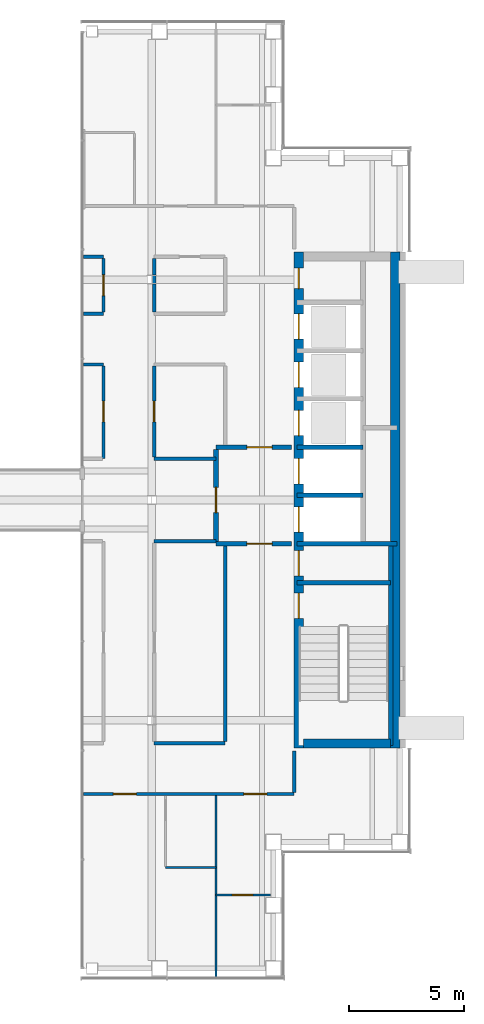
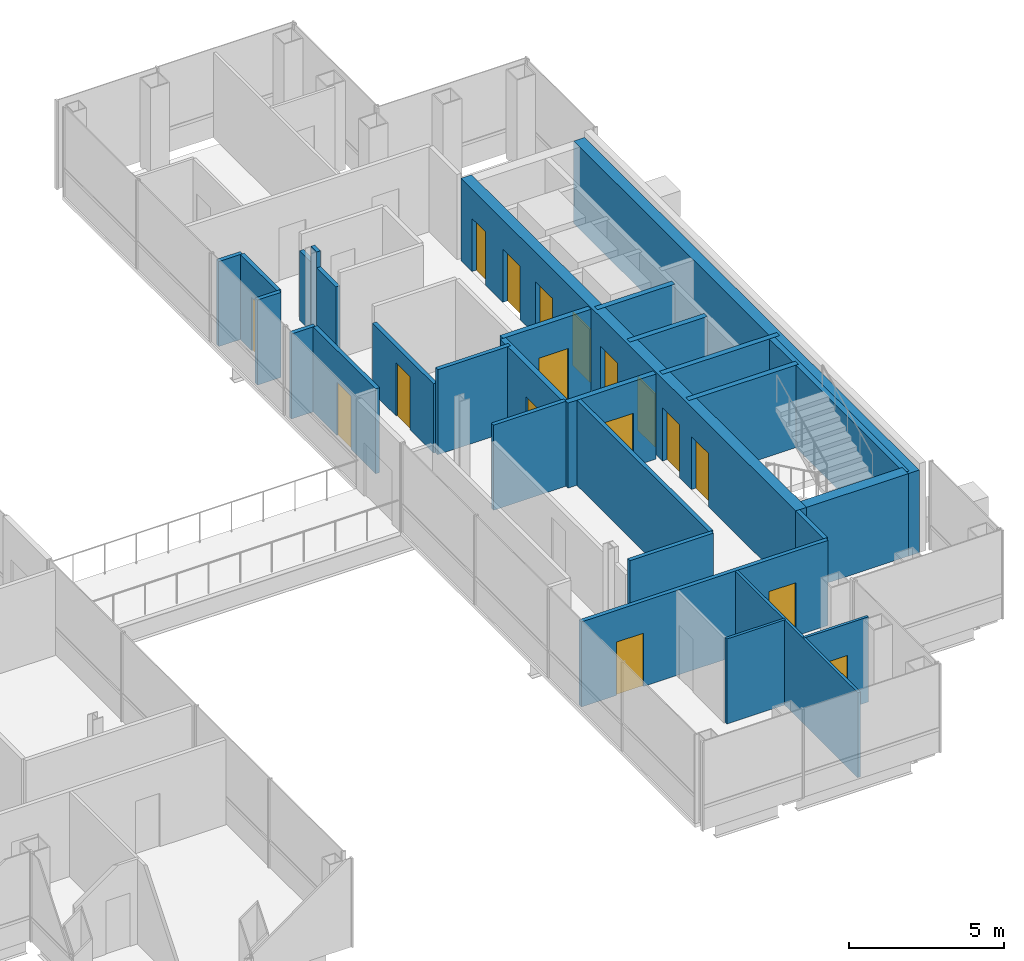
# One storey, part 13 of 16: 29 walls, 17 doors, 17 openings.
"""IFC4 building model written with IfcOpenShell, lengths in metres."""

from ifc_helpers import new_model, si_unit, direction, frame, frame_2d, origin, place, context, subcontext, project, spatial, rectangle, extrude, material, layer, layer_set, type_object, element, fill, save


model = new_model("IFC4")

# Units and contexts
model_context = context("Model", 3, precision=1e-05, world=origin(), true_north=direction((0.0, 1.0)))
body_context = subcontext(model_context, "Body", "Model", "MODEL_VIEW")
ifc_project = project(units=[si_unit("LENGTHUNIT", "METRE"), si_unit("AREAUNIT", "SQUARE_METRE"), si_unit("VOLUMEUNIT", "CUBIC_METRE"), si_unit("PLANEANGLEUNIT", "RADIAN"), si_unit("MASSUNIT", "GRAM", prefix="KILO")], contexts=[model_context])

# Site, building, storey
site_placement = place(None, origin())
site = spatial("IfcSite", under=ifc_project, at=site_placement, CompositionType="ELEMENT")
building_placement = place(site_placement, origin())
building = spatial("IfcBuilding", under=site, at=building_placement, Name="Cobrizo Arcos Hotel Tower", CompositionType="ELEMENT")
storey_placement = place(building_placement, frame((0.0, 0.0, 229.5)))
storey = spatial("IfcBuildingStorey", under=building, at=storey_placement, Name="L60", CompositionType="ELEMENT", Elevation=229.5)

# Wall, openings, doors
ifc_material_1 = material(Name="Gypsum board partition")
ifc_layer_1 = layer(ifc_material_1, 0.14990234375)
ifc_layer_set_1 = layer_set([ifc_layer_1], Name="Corridor wall EI 60 150")
wall_type_1 = type_object("IfcWallType", Name="Corridor wall EI 60 150", PredefinedType="PARTITIONING", material=ifc_layer_set_1)
wall_1_placement = place(storey_placement, frame((6.6201171875, -12.800048828125, 0.0), z_axis=(0.0, 0.0, 1.0), x_axis=(1.0, 0.0, 0.0)))
wall_1 = element("IfcWall", 1, at=wall_1_placement, inside=storey, type_object=wall_type_1, Name="Partition 005", PredefinedType="PARTITIONING", context=body_context, shape_type="SweptSolid", body=[
    extrude(rectangle(XDim=9.179931640625, YDim=0.14990234375, at=frame_2d((4.58984375, 0.0))), origin(), (0.0, 0.0, 1.0), 3.35009765625),
])
opening_1_placement = place(wall_1_placement, frame((1.31396484375, 0.0, 0.0)))
opening_1 = element("IfcOpeningElement", 2, at=opening_1_placement, cuts=wall_1, Name="Opening GD-03", PredefinedType="OPENING", context=body_context, shape_type="SweptSolid", body=[
    extrude(rectangle(XDim=1.0, YDim=2.10009765625, at=frame_2d((0.5, 1.050048828125))), frame((0.0, 0.0869140625, 0.0), z_axis=(0.0, -1.0, 0.0), x_axis=(1.0, 0.0, 0.0)), (0.0, 0.0, 1.0), 0.173828125),
])
opening_2_placement = place(wall_1_placement, frame((6.988037109375, 0.0, 0.0)))
opening_2 = element("IfcOpeningElement", 3, at=opening_2_placement, cuts=wall_1, Name="Opening GD-06", PredefinedType="OPENING", context=body_context, shape_type="SweptSolid", body=[
    extrude(rectangle(XDim=1.0, YDim=2.10009765625, at=frame_2d((0.5, 1.050048828125))), frame((0.0, 0.0869140625, 0.0), z_axis=(0.0, -1.0, 0.0), x_axis=(1.0, 0.0, 0.0)), (0.0, 0.0, 1.0), 0.173828125),
])
ifc_material_2 = material(Name="Timber door leaf", Category="wood")
door_type_1 = type_object("IfcDoorType", Name="Guest room door FD30S 1000x2100", OperationType="SINGLE_SWING_LEFT", PredefinedType="DOOR", material=ifc_material_2)
door_1_placement = place(opening_1_placement, origin())
door_1 = element("IfcDoor", 4, at=door_1_placement, inside=storey, type_object=door_type_1, Name="Door GD-03", OperationType="SINGLE_SWING_RIGHT", OverallHeight=2.10009765625, OverallWidth=1.0, PredefinedType="DOOR", context=body_context, shape_type="SweptSolid", body=[
    extrude(rectangle(XDim=1.0, YDim=2.10009765625, at=frame_2d((0.5, 1.050048828125))), frame((0.0, 0.02490234375, 0.0), z_axis=(0.0, -1.0, 0.0), x_axis=(1.0, 0.0, 0.0)), (0.0, 0.0, 1.0), 0.050048828125),
])
fill(opening_1, door_1)
door_2_placement = place(opening_2_placement, origin())
door_2 = element("IfcDoor", 5, at=door_2_placement, inside=storey, type_object=door_type_1, Name="Door GD-06", OperationType="SINGLE_SWING_RIGHT", OverallHeight=2.10009765625, OverallWidth=1.0, PredefinedType="DOOR", context=body_context, shape_type="SweptSolid", body=[
    extrude(rectangle(XDim=1.0, YDim=2.10009765625, at=frame_2d((0.5, 1.050048828125))), frame((0.0, 0.02490234375, 0.0), z_axis=(0.0, -1.0, 0.0), x_axis=(1.0, 0.0, 0.0)), (0.0, 0.0, 1.0), 0.050048828125),
])
fill(opening_2, door_2)

# Walls
wall_2_placement = place(storey_placement, frame((9.699951171875, -10.60009765625, 0.0), z_axis=(0.0, 0.0, 1.0), x_axis=(1.0, 0.0, 0.0)))
element("IfcWall", 6, at=wall_2_placement, inside=storey, type_object=wall_type_1, Name="Partition 008", PredefinedType="PARTITIONING", context=body_context, shape_type="SweptSolid", body=[
    extrude(rectangle(XDim=3.10009765625, YDim=0.14990234375, at=frame_2d((1.550048828125, 0.0))), origin(), (0.0, 0.0, 1.0), 3.35009765625),
])
for number, where, z_axis, x_axis, name in (
    (7, (9.699951171875, -1.800048828125, 0.0), (0.0, 0.0, 1.0), (1.0, 0.0, 0.0), "Partition 017"),
    (8, (9.699951171875, 1.800048828125, 0.0), (0.0, 0.0, 1.0), (1.0, 0.0, 0.0), "Partition 022"),
):
    element("IfcWall", number, at=place(storey_placement, frame(where, z_axis=z_axis, x_axis=x_axis)), inside=storey, type_object=wall_type_1, Name=name, PredefinedType="PARTITIONING", context=body_context, shape_type="SweptSolid", body=[
        extrude(rectangle(XDim=2.699951171875, YDim=0.14990234375, at=frame_2d((1.35009765625, 0.0))), origin(), (0.0, 0.0, 1.0), 3.35009765625),
    ])
for number, where, z_axis, x_axis, name in (
    (9, (6.6201171875, 5.89990234375, 0.0), (0.0, 0.0, 1.0), (1.0, 0.0, 0.0), "Partition 032"),
    (10, (6.6201171875, 8.10009765625, 0.0), (0.0, 0.0, 1.0), (1.0, 0.0, 0.0), "Partition 037"),
    (11, (6.6201171875, 10.60009765625, 0.0), (0.0, 0.0, 1.0), (1.0, 0.0, 0.0), "Partition 042"),
):
    element("IfcWall", number, at=place(storey_placement, frame(where, z_axis=z_axis, x_axis=x_axis)), inside=storey, type_object=wall_type_1, Name=name, PredefinedType="PARTITIONING", context=body_context, shape_type="SweptSolid", body=[
        extrude(rectangle(XDim=0.8798828125, YDim=0.14990234375, at=frame_2d((0.43994140625, 0.0))), origin(), (0.0, 0.0, 1.0), 3.35009765625),
    ])

# Wall, opening, door
wall_3_placement = place(storey_placement, frame((7.5, 1.800048828125, 0.0), z_axis=(0.0, 0.0, 1.0), x_axis=(0.0, 1.0, 0.0)))
wall_3 = element("IfcWall", 12, at=wall_3_placement, inside=storey, type_object=wall_type_1, Name="Partition 067", PredefinedType="PARTITIONING", context=body_context, shape_type="SweptSolid", body=[
    extrude(rectangle(XDim=4.02490234375, YDim=0.14990234375, at=frame_2d((2.012451171875, 0.0))), origin(), (0.0, 0.0, 1.0), 3.35009765625),
])
opening_3_placement = place(wall_3_placement, frame((1.60009765625, 0.0, 0.0)))
opening_3 = element("IfcOpeningElement", 13, at=opening_3_placement, cuts=wall_3, Name="Opening RD-05", PredefinedType="OPENING", context=body_context, shape_type="SweptSolid", body=[
    extrude(rectangle(XDim=0.89990234375, YDim=2.10009765625, at=frame_2d((0.449951171875, 1.050048828125))), frame((0.0, 0.0869140625, 0.0), z_axis=(0.0, -1.0, 0.0), x_axis=(1.0, 0.0, 0.0)), (0.0, 0.0, 1.0), 0.173828125),
])
door_type_2 = type_object("IfcDoorType", Name="Room door FD30 900x2100", OperationType="SINGLE_SWING_LEFT", PredefinedType="DOOR", material=ifc_material_2)
door_3_placement = place(opening_3_placement, origin())
door_3 = element("IfcDoor", 14, at=door_3_placement, inside=storey, type_object=door_type_2, Name="Door RD-05", OperationType="SINGLE_SWING_LEFT", OverallHeight=2.10009765625, OverallWidth=0.89990234375, PredefinedType="DOOR", context=body_context, shape_type="SweptSolid", body=[
    extrude(rectangle(XDim=0.89990234375, YDim=2.10009765625, at=frame_2d((0.449951171875, 1.050048828125))), frame((0.0, 0.02490234375, 0.0), z_axis=(0.0, -1.0, 0.0), x_axis=(1.0, 0.0, 0.0)), (0.0, 0.0, 1.0), 0.050048828125),
])
fill(opening_3, door_3)

wall_4_placement = place(storey_placement, frame((7.5, 8.175048828125, 0.0), z_axis=(0.0, 0.0, 1.0), x_axis=(0.0, 1.0, 0.0)))
wall_4 = element("IfcWall", 15, at=wall_4_placement, inside=storey, type_object=wall_type_1, Name="Partition 068", PredefinedType="PARTITIONING", context=body_context, shape_type="SweptSolid", body=[
    extrude(rectangle(XDim=2.349853515625, YDim=0.14990234375, at=frame_2d((1.1748046875, 0.0))), origin(), (0.0, 0.0, 1.0), 3.35009765625),
])
opening_4_placement = place(wall_4_placement, frame((0.72509765625, 0.0, 0.0)))
opening_4 = element("IfcOpeningElement", 16, at=opening_4_placement, cuts=wall_4, Name="Opening RD-04", PredefinedType="OPENING", context=body_context, shape_type="SweptSolid", body=[
    extrude(rectangle(XDim=0.89990234375, YDim=2.10009765625, at=frame_2d((0.449951171875, 1.050048828125))), frame((0.0, 0.0869140625, 0.0), z_axis=(0.0, -1.0, 0.0), x_axis=(1.0, 0.0, 0.0)), (0.0, 0.0, 1.0), 0.173828125),
])
door_4_placement = place(opening_4_placement, origin())
door_4 = element("IfcDoor", 17, at=door_4_placement, inside=storey, type_object=door_type_2, Name="Door RD-04", OperationType="SINGLE_SWING_LEFT", OverallHeight=2.10009765625, OverallWidth=0.89990234375, PredefinedType="DOOR", context=body_context, shape_type="SweptSolid", body=[
    extrude(rectangle(XDim=0.89990234375, YDim=2.10009765625, at=frame_2d((0.449951171875, 1.050048828125))), frame((0.0, 0.02490234375, 0.0), z_axis=(0.0, -1.0, 0.0), x_axis=(1.0, 0.0, 0.0)), (0.0, 0.0, 1.0), 0.050048828125),
])
fill(opening_4, door_4)

wall_5_placement = place(storey_placement, frame((9.699951171875, 1.875, 0.0), z_axis=(0.0, 0.0, 1.0), x_axis=(0.0, 1.0, 0.0)))
wall_5 = element("IfcWall", 18, at=wall_5_placement, inside=storey, type_object=wall_type_1, Name="Partition 073", PredefinedType="PARTITIONING", context=body_context, shape_type="SweptSolid", body=[
    extrude(rectangle(XDim=3.949951171875, YDim=0.14990234375, at=frame_2d((1.97509765625, 0.0))), origin(), (0.0, 0.0, 1.0), 2.72802734375),
])
opening_5_placement = place(wall_5_placement, frame((1.52490234375, 0.0, 0.0)))
opening_5 = element("IfcOpeningElement", 19, at=opening_5_placement, cuts=wall_5, Name="Opening RD-08", PredefinedType="OPENING", context=body_context, shape_type="SweptSolid", body=[
    extrude(rectangle(XDim=0.89990234375, YDim=2.10009765625, at=frame_2d((0.449951171875, 1.050048828125))), frame((0.0, 0.0869140625, 0.0), z_axis=(0.0, -1.0, 0.0), x_axis=(1.0, 0.0, 0.0)), (0.0, 0.0, 1.0), 0.173828125),
])
door_5_placement = place(opening_5_placement, origin())
door_5 = element("IfcDoor", 20, at=door_5_placement, inside=storey, type_object=door_type_2, Name="Door RD-08", OperationType="SINGLE_SWING_LEFT", OverallHeight=2.10009765625, OverallWidth=0.89990234375, PredefinedType="DOOR", context=body_context, shape_type="SweptSolid", body=[
    extrude(rectangle(XDim=0.89990234375, YDim=2.10009765625, at=frame_2d((0.449951171875, 1.050048828125))), frame((0.0, 0.02490234375, 0.0), z_axis=(0.0, -1.0, 0.0), x_axis=(1.0, 0.0, 0.0)), (0.0, 0.0, 1.0), 0.050048828125),
])
fill(opening_5, door_5)

# Walls
wall_6_placement = place(storey_placement, frame((9.699951171875, 8.175048828125, 0.0), z_axis=(0.0, 0.0, 1.0), x_axis=(0.0, 1.0, 0.0)))
element("IfcWall", 21, at=wall_6_placement, inside=storey, type_object=wall_type_1, Name="Partition 074", PredefinedType="PARTITIONING", context=body_context, shape_type="SweptSolid", body=[
    extrude(rectangle(XDim=1.238037109375, YDim=0.14990234375, at=frame_2d((0.619140625, 0.0))), origin(), (0.0, 0.0, 1.0), 2.72802734375),
])
wall_7_placement = place(storey_placement, frame((9.699951171875, 9.4130859375, 0.0), z_axis=(0.0, 0.0, 1.0), x_axis=(0.0, 1.0, 0.0)))
element("IfcWall", 22, at=wall_7_placement, inside=storey, type_object=wall_type_1, Name="Partition 075", PredefinedType="PARTITIONING", context=body_context, shape_type="SweptSolid", body=[
    extrude(rectangle(XDim=0.3740234375, YDim=0.14990234375, at=frame_2d((0.18701171875, 0.0))), origin(), (0.0, 0.0, 1.0), 3.35009765625),
])
wall_8_placement = place(storey_placement, frame((9.699951171875, 9.787109375, 0.0), z_axis=(0.0, 0.0, 1.0), x_axis=(0.0, 1.0, 0.0)))
element("IfcWall", 23, at=wall_8_placement, inside=storey, type_object=wall_type_1, Name="Partition 076", PredefinedType="PARTITIONING", context=body_context, shape_type="SweptSolid", body=[
    extrude(rectangle(XDim=0.73779296875, YDim=0.14990234375, at=frame_2d((0.368896484375, 0.0))), origin(), (0.0, 0.0, 1.0), 2.72802734375),
])
wall_9_placement = place(storey_placement, frame((12.800048828125, -10.52490234375, 0.0), z_axis=(0.0, 0.0, 1.0), x_axis=(0.0, 1.0, 0.0)))
element("IfcWall", 24, at=wall_9_placement, inside=storey, type_object=wall_type_1, Name="Partition 081", PredefinedType="PARTITIONING", context=body_context, shape_type="SweptSolid", body=[
    extrude(rectangle(XDim=8.52490234375, YDim=0.14990234375, at=frame_2d((4.262451171875, 0.0))), origin(), (0.0, 0.0, 1.0), 3.35009765625),
])
wall_10_placement = place(storey_placement, frame((15.800048828125, -12.72509765625, 0.0), z_axis=(0.0, 0.0, 1.0), x_axis=(0.0, 1.0, 0.0)))
element("IfcWall", 25, at=wall_10_placement, inside=storey, type_object=wall_type_1, Name="Partition 084", PredefinedType="PARTITIONING", context=body_context, shape_type="SweptSolid", body=[
    extrude(rectangle(XDim=1.80517578125, YDim=0.14990234375, at=frame_2d((0.902587890625, 0.0))), origin(), (0.0, 0.0, 1.0), 3.35009765625),
])

# Wall, opening, door
ifc_layer_2 = layer(ifc_material_1, 0.10009765625)
ifc_layer_set_2 = layer_set([ifc_layer_2], Name="Partition EI 30 100")
wall_type_2 = type_object("IfcWallType", Name="Partition EI 30 100", PredefinedType="PARTITIONING", material=ifc_layer_set_2)
wall_11_placement = place(storey_placement, frame((12.39990234375, -17.199951171875, 0.0), z_axis=(0.0, 0.0, 1.0), x_axis=(1.0, 0.0, 0.0)))
wall_11 = element("IfcWall", 26, at=wall_11_placement, inside=storey, type_object=wall_type_2, Name="Partition 002", PredefinedType="PARTITIONING", context=body_context, shape_type="SweptSolid", body=[
    extrude(rectangle(XDim=2.380126953125, YDim=0.10009765625, at=frame_2d((1.18994140625, 0.0))), origin(), (0.0, 0.0, 1.0), 3.35009765625),
])
opening_6_placement = place(wall_11_placement, frame((0.705078125, 0.0, 0.0)))
opening_6 = element("IfcOpeningElement", 27, at=opening_6_placement, cuts=wall_11, Name="Opening ED-06", PredefinedType="OPENING", context=body_context, shape_type="SweptSolid", body=[
    extrude(rectangle(XDim=0.89990234375, YDim=2.10009765625, at=frame_2d((0.449951171875, 1.050048828125))), frame((0.0, 0.06201171875, 0.0), z_axis=(0.0, -1.0, 0.0), x_axis=(1.0, 0.0, 0.0)), (0.0, 0.0, 1.0), 0.1240234375),
])
door_type_3 = type_object("IfcDoorType", Name="En-suite door 900x2100", OperationType="SINGLE_SWING_LEFT", PredefinedType="DOOR", material=ifc_material_2)
door_6_placement = place(opening_6_placement, origin())
door_6 = element("IfcDoor", 28, at=door_6_placement, inside=storey, type_object=door_type_3, Name="Door ED-06", OperationType="SINGLE_SWING_LEFT", OverallHeight=2.10009765625, OverallWidth=0.89990234375, PredefinedType="DOOR", context=body_context, shape_type="SweptSolid", body=[
    extrude(rectangle(XDim=0.89990234375, YDim=2.10009765625, at=frame_2d((0.449951171875, 1.050048828125))), frame((0.0, 0.02490234375, 0.0), z_axis=(0.0, -1.0, 0.0), x_axis=(1.0, 0.0, 0.0)), (0.0, 0.0, 1.0), 0.050048828125),
])
fill(opening_6, door_6)

# Walls
wall_12_placement = place(storey_placement, frame((10.199951171875, -16.0, 0.0), z_axis=(0.0, 0.0, 1.0), x_axis=(1.0, 0.0, 0.0)))
element("IfcWall", 29, at=wall_12_placement, inside=storey, type_object=wall_type_2, Name="Partition 003", PredefinedType="PARTITIONING", context=body_context, shape_type="SweptSolid", body=[
    extrude(rectangle(XDim=2.199951171875, YDim=0.10009765625, at=frame_2d((1.10009765625, 0.0))), origin(), (0.0, 0.0, 1.0), 3.35009765625),
])
wall_13_placement = place(storey_placement, frame((12.39990234375, -20.780029296875, 0.0), z_axis=(0.0, 0.0, 1.0), x_axis=(0.0, 1.0, 0.0)))
element("IfcWall", 30, at=wall_13_placement, inside=storey, type_object=wall_type_2, Name="Partition 078", PredefinedType="PARTITIONING", context=body_context, shape_type="SweptSolid", body=[
    extrude(rectangle(XDim=7.905029296875, YDim=0.10009765625, at=frame_2d((3.95263671875, 0.0))), origin(), (0.0, 0.0, 1.0), 3.35009765625),
])

# Wall, openings, doors
ifc_material_3 = material(Name="Concrete f'c 40 MPa", Category="concrete")
ifc_layer_3 = layer(ifc_material_3, 0.39990234375)
ifc_layer_set_3 = layer_set([ifc_layer_3], Name="RC core wall 400 f'c 40")
wall_type_3 = type_object("IfcWallType", Name="RC core wall 400 f'c 40", PredefinedType="SHEAR", material=ifc_layer_set_3)
wall_14_placement = place(storey_placement, frame((16.0, -10.800048828125, 0.0), z_axis=(0.0, 0.0, 1.0), x_axis=(0.0, 1.0, 0.0)))
wall_14 = element("IfcWall", 31, at=wall_14_placement, inside=storey, type_object=wall_type_3, Name="Core wall CW4, east core, inner face, L60", PredefinedType="SHEAR", context=body_context, shape_type="SweptSolid", body=[
    extrude(rectangle(XDim=21.60009765625, YDim=0.39990234375, at=frame_2d((10.800048828125, 0.0))), origin(), (0.0, 0.0, 1.0), 3.25),
])
opening_7_placement = place(wall_14_placement, frame((9.39990234375, 0.0, 0.0)))
opening_7 = element("IfcOpeningElement", 32, at=opening_7_placement, cuts=wall_14, Name="Opening LD-06", PredefinedType="OPENING", context=body_context, shape_type="SweptSolid", body=[
    extrude(rectangle(XDim=1.10009765625, YDim=2.10009765625, at=frame_2d((0.550048828125, 1.050048828125))), frame((0.0, 0.2119140625, 0.0), z_axis=(0.0, -1.0, 0.0), x_axis=(1.0, 0.0, 0.0)), (0.0, 0.0, 1.0), 0.423828125),
])
opening_8_placement = place(wall_14_placement, frame((11.5, 0.0, 0.0)))
opening_8 = element("IfcOpeningElement", 33, at=opening_8_placement, cuts=wall_14, Name="Opening LD-07", PredefinedType="OPENING", context=body_context, shape_type="SweptSolid", body=[
    extrude(rectangle(XDim=1.10009765625, YDim=2.10009765625, at=frame_2d((0.550048828125, 1.050048828125))), frame((0.0, 0.2119140625, 0.0), z_axis=(0.0, -1.0, 0.0), x_axis=(1.0, 0.0, 0.0)), (0.0, 0.0, 1.0), 0.423828125),
])
opening_9_placement = place(wall_14_placement, frame((13.60009765625, 0.0, 0.0)))
opening_9 = element("IfcOpeningElement", 34, at=opening_9_placement, cuts=wall_14, Name="Opening LD-08", PredefinedType="OPENING", context=body_context, shape_type="SweptSolid", body=[
    extrude(rectangle(XDim=1.10009765625, YDim=2.10009765625, at=frame_2d((0.550048828125, 1.050048828125))), frame((0.0, 0.2119140625, 0.0), z_axis=(0.0, -1.0, 0.0), x_axis=(1.0, 0.0, 0.0)), (0.0, 0.0, 1.0), 0.423828125),
])
opening_10_placement = place(wall_14_placement, frame((15.699951171875, 0.0, 0.0)))
opening_10 = element("IfcOpeningElement", 35, at=opening_10_placement, cuts=wall_14, Name="Opening LD-09", PredefinedType="OPENING", context=body_context, shape_type="SweptSolid", body=[
    extrude(rectangle(XDim=1.10009765625, YDim=2.10009765625, at=frame_2d((0.550048828125, 1.050048828125))), frame((0.0, 0.2119140625, 0.0), z_axis=(0.0, -1.0, 0.0), x_axis=(1.0, 0.0, 0.0)), (0.0, 0.0, 1.0), 0.423828125),
])
opening_11_placement = place(wall_14_placement, frame((17.800048828125, 0.0, 0.0)))
opening_11 = element("IfcOpeningElement", 36, at=opening_11_placement, cuts=wall_14, Name="Opening LD-10", PredefinedType="OPENING", context=body_context, shape_type="SweptSolid", body=[
    extrude(rectangle(XDim=1.10009765625, YDim=2.10009765625, at=frame_2d((0.550048828125, 1.050048828125))), frame((0.0, 0.2119140625, 0.0), z_axis=(0.0, -1.0, 0.0), x_axis=(1.0, 0.0, 0.0)), (0.0, 0.0, 1.0), 0.423828125),
])
opening_12_placement = place(wall_14_placement, frame((5.64208984375, 0.0, 0.0)))
opening_12 = element("IfcOpeningElement", 37, at=opening_12_placement, cuts=wall_14, Name="Opening SD-02", PredefinedType="OPENING", context=body_context, shape_type="SweptSolid", body=[
    extrude(rectangle(XDim=1.10009765625, YDim=2.10009765625, at=frame_2d((0.550048828125, 1.050048828125))), frame((0.0, 0.2119140625, 0.0), z_axis=(0.0, -1.0, 0.0), x_axis=(1.0, 0.0, 0.0)), (0.0, 0.0, 1.0), 0.423828125),
])
opening_13_placement = place(wall_14_placement, frame((7.5, 0.0, 0.0)))
opening_13 = element("IfcOpeningElement", 38, at=opening_13_placement, cuts=wall_14, Name="Opening FD-05", PredefinedType="OPENING", context=body_context, shape_type="SweptSolid", body=[
    extrude(rectangle(XDim=1.10009765625, YDim=2.10009765625, at=frame_2d((0.550048828125, 1.050048828125))), frame((0.0, 0.2119140625, 0.0), z_axis=(0.0, -1.0, 0.0), x_axis=(1.0, 0.0, 0.0)), (0.0, 0.0, 1.0), 0.423828125),
])
opening_14_placement = place(wall_14_placement, frame((20.0, 0.0, 0.0)))
opening_14 = element("IfcOpeningElement", 39, at=opening_14_placement, cuts=wall_14, Name="Opening RD-02", PredefinedType="OPENING", context=body_context, shape_type="SweptSolid", body=[
    extrude(rectangle(XDim=0.89990234375, YDim=2.10009765625, at=frame_2d((0.449951171875, 1.050048828125))), frame((0.0, 0.2119140625, 0.0), z_axis=(0.0, -1.0, 0.0), x_axis=(1.0, 0.0, 0.0)), (0.0, 0.0, 1.0), 0.423828125),
])
ifc_material_4 = material(Name="Steel door leaf", Category="steel")
door_type_4 = type_object("IfcDoorType", Name="Fire door FD60 1100x2100", OperationType="SINGLE_SWING_LEFT", PredefinedType="DOOR", material=ifc_material_4)
door_7_placement = place(opening_13_placement, origin())
door_7 = element("IfcDoor", 40, at=door_7_placement, inside=storey, type_object=door_type_4, Name="Door FD-05", OperationType="SINGLE_SWING_LEFT", OverallHeight=2.10009765625, OverallWidth=1.10009765625, PredefinedType="DOOR", context=body_context, shape_type="SweptSolid", body=[
    extrude(rectangle(XDim=1.10009765625, YDim=2.10009765625, at=frame_2d((0.550048828125, 1.050048828125))), frame((0.0, 0.02490234375, 0.0), z_axis=(0.0, -1.0, 0.0), x_axis=(1.0, 0.0, 0.0)), (0.0, 0.0, 1.0), 0.050048828125),
])
fill(opening_13, door_7)
door_type_5 = type_object("IfcDoorType", Name="Lift landing door 1100x2100", OperationType="SLIDING_TO_LEFT", PredefinedType="DOOR", material=ifc_material_4)
door_8_placement = place(opening_7_placement, origin())
door_8 = element("IfcDoor", 41, at=door_8_placement, inside=storey, type_object=door_type_5, Name="Lift landing door LD-06", OperationType="SLIDING_TO_LEFT", OverallHeight=2.10009765625, OverallWidth=1.10009765625, PredefinedType="DOOR", context=body_context, shape_type="SweptSolid", body=[
    extrude(rectangle(XDim=1.10009765625, YDim=2.10009765625, at=frame_2d((0.550048828125, 1.050048828125))), frame((0.0, 0.02490234375, 0.0), z_axis=(0.0, -1.0, 0.0), x_axis=(1.0, 0.0, 0.0)), (0.0, 0.0, 1.0), 0.050048828125),
])
fill(opening_7, door_8)
door_9_placement = place(opening_8_placement, origin())
door_9 = element("IfcDoor", 42, at=door_9_placement, inside=storey, type_object=door_type_5, Name="Lift landing door LD-07", OperationType="SLIDING_TO_LEFT", OverallHeight=2.10009765625, OverallWidth=1.10009765625, PredefinedType="DOOR", context=body_context, shape_type="SweptSolid", body=[
    extrude(rectangle(XDim=1.10009765625, YDim=2.10009765625, at=frame_2d((0.550048828125, 1.050048828125))), frame((0.0, 0.02490234375, 0.0), z_axis=(0.0, -1.0, 0.0), x_axis=(1.0, 0.0, 0.0)), (0.0, 0.0, 1.0), 0.050048828125),
])
fill(opening_8, door_9)
door_10_placement = place(opening_9_placement, origin())
door_10 = element("IfcDoor", 43, at=door_10_placement, inside=storey, type_object=door_type_5, Name="Lift landing door LD-08", OperationType="SLIDING_TO_LEFT", OverallHeight=2.10009765625, OverallWidth=1.10009765625, PredefinedType="DOOR", context=body_context, shape_type="SweptSolid", body=[
    extrude(rectangle(XDim=1.10009765625, YDim=2.10009765625, at=frame_2d((0.550048828125, 1.050048828125))), frame((0.0, 0.02490234375, 0.0), z_axis=(0.0, -1.0, 0.0), x_axis=(1.0, 0.0, 0.0)), (0.0, 0.0, 1.0), 0.050048828125),
])
fill(opening_9, door_10)
door_11_placement = place(opening_10_placement, origin())
door_11 = element("IfcDoor", 44, at=door_11_placement, inside=storey, type_object=door_type_5, Name="Lift landing door LD-09", OperationType="SLIDING_TO_LEFT", OverallHeight=2.10009765625, OverallWidth=1.10009765625, PredefinedType="DOOR", context=body_context, shape_type="SweptSolid", body=[
    extrude(rectangle(XDim=1.10009765625, YDim=2.10009765625, at=frame_2d((0.550048828125, 1.050048828125))), frame((0.0, 0.02490234375, 0.0), z_axis=(0.0, -1.0, 0.0), x_axis=(1.0, 0.0, 0.0)), (0.0, 0.0, 1.0), 0.050048828125),
])
fill(opening_10, door_11)
door_12_placement = place(opening_11_placement, origin())
door_12 = element("IfcDoor", 45, at=door_12_placement, inside=storey, type_object=door_type_5, Name="Lift landing door LD-10", OperationType="SLIDING_TO_LEFT", OverallHeight=2.10009765625, OverallWidth=1.10009765625, PredefinedType="DOOR", context=body_context, shape_type="SweptSolid", body=[
    extrude(rectangle(XDim=1.10009765625, YDim=2.10009765625, at=frame_2d((0.550048828125, 1.050048828125))), frame((0.0, 0.02490234375, 0.0), z_axis=(0.0, -1.0, 0.0), x_axis=(1.0, 0.0, 0.0)), (0.0, 0.0, 1.0), 0.050048828125),
])
fill(opening_11, door_12)
door_13_placement = place(opening_14_placement, origin())
door_13 = element("IfcDoor", 46, at=door_13_placement, inside=storey, type_object=door_type_2, Name="Door RD-02", OperationType="SINGLE_SWING_RIGHT", OverallHeight=2.10009765625, OverallWidth=0.89990234375, PredefinedType="DOOR", context=body_context, shape_type="SweptSolid", body=[
    extrude(rectangle(XDim=0.89990234375, YDim=2.10009765625, at=frame_2d((0.449951171875, 1.050048828125))), frame((0.0, 0.02490234375, 0.0), z_axis=(0.0, -1.0, 0.0), x_axis=(1.0, 0.0, 0.0)), (0.0, 0.0, 1.0), 0.050048828125),
])
fill(opening_14, door_13)
door_type_6 = type_object("IfcDoorType", Name="Stair door FD60S 1100x2100", OperationType="SINGLE_SWING_LEFT", PredefinedType="DOOR", material=ifc_material_4)
door_14_placement = place(opening_12_placement, origin())
door_14 = element("IfcDoor", 47, at=door_14_placement, inside=storey, type_object=door_type_6, Name="Door SD-02", OperationType="SINGLE_SWING_LEFT", OverallHeight=2.10009765625, OverallWidth=1.10009765625, PredefinedType="DOOR", context=body_context, shape_type="SweptSolid", body=[
    extrude(rectangle(XDim=1.10009765625, YDim=2.10009765625, at=frame_2d((0.550048828125, 1.050048828125))), frame((0.0, 0.02490234375, 0.0), z_axis=(0.0, -1.0, 0.0), x_axis=(1.0, 0.0, 0.0)), (0.0, 0.0, 1.0), 0.050048828125),
])
fill(opening_12, door_14)

# Walls
wall_15_placement = place(storey_placement, frame((20.199951171875, -10.800048828125, 0.0), z_axis=(0.0, 0.0, 1.0), x_axis=(0.0, 1.0, 0.0)))
element("IfcWall", 48, at=wall_15_placement, inside=storey, type_object=wall_type_3, Name="Core wall CW4, east core, outer face, L60", PredefinedType="SHEAR", context=body_context, shape_type="SweptSolid", body=[
    extrude(rectangle(XDim=21.60009765625, YDim=0.39990234375, at=frame_2d((10.800048828125, 0.0))), origin(), (0.0, 0.0, 1.0), 3.25),
])
wall_16_placement = place(storey_placement, frame((16.199951171875, -10.60009765625, 0.0), z_axis=(0.0, 0.0, 1.0), x_axis=(1.0, 0.0, 0.0)))
element("IfcWall", 49, at=wall_16_placement, inside=storey, type_object=wall_type_3, Name="Core wall CW4, east core, south end, L60", PredefinedType="SHEAR", context=body_context, shape_type="SweptSolid", body=[
    extrude(rectangle(XDim=3.800048828125, YDim=0.39990234375, at=frame_2d((1.89990234375, 0.0))), origin(), (0.0, 0.0, 1.0), 3.25),
])

# Wall, opening, door
ifc_layer_4 = layer(ifc_material_1, 0.199951171875)
ifc_layer_set_4 = layer_set([ifc_layer_4], Name="Shaft wall EI 120 200")
wall_type_4 = type_object("IfcWallType", Name="Shaft wall EI 120 200", PredefinedType="PARTITIONING", material=ifc_layer_set_4)
wall_17_placement = place(storey_placement, frame((12.39990234375, -1.89990234375, 0.0), z_axis=(0.0, 0.0, 1.0), x_axis=(1.0, 0.0, 0.0)))
wall_17 = element("IfcWall", 50, at=wall_17_placement, inside=storey, type_object=wall_type_4, Name="Partition 013", PredefinedType="PARTITIONING", context=body_context, shape_type="SweptSolid", body=[
    extrude(rectangle(XDim=3.280029296875, YDim=0.199951171875, at=frame_2d((1.64013671875, 0.0))), origin(), (0.0, 0.0, 1.0), 3.35009765625),
])
opening_15_placement = place(wall_17_placement, frame((1.340087890625, 0.0, 0.0)))
opening_15 = element("IfcOpeningElement", 51, at=opening_15_placement, cuts=wall_17, Name="Opening FD-07", PredefinedType="OPENING", context=body_context, shape_type="SweptSolid", body=[
    extrude(rectangle(XDim=1.10009765625, YDim=2.10009765625, at=frame_2d((0.550048828125, 1.050048828125))), frame((0.0, 0.112060546875, 0.0), z_axis=(0.0, -1.0, 0.0), x_axis=(1.0, 0.0, 0.0)), (0.0, 0.0, 1.0), 0.223876953125),
])
door_15_placement = place(opening_15_placement, origin())
door_15 = element("IfcDoor", 52, at=door_15_placement, inside=storey, type_object=door_type_4, Name="Door FD-07", OperationType="SINGLE_SWING_RIGHT", OverallHeight=2.10009765625, OverallWidth=1.10009765625, PredefinedType="DOOR", context=body_context, shape_type="SweptSolid", body=[
    extrude(rectangle(XDim=1.10009765625, YDim=2.10009765625, at=frame_2d((0.550048828125, 1.050048828125))), frame((0.0, 0.02490234375, 0.0), z_axis=(0.0, -1.0, 0.0), x_axis=(1.0, 0.0, 0.0)), (0.0, 0.0, 1.0), 0.050048828125),
])
fill(opening_15, door_15)

# Walls
wall_18_placement = place(storey_placement, frame((15.919921875, -1.89990234375, 0.0), z_axis=(0.0, 0.0, 1.0), x_axis=(1.0, 0.0, 0.0)))
element("IfcWall", 53, at=wall_18_placement, inside=storey, type_object=wall_type_4, Name="Partition 014", PredefinedType="PARTITIONING", context=body_context, shape_type="SweptSolid", body=[
    extrude(rectangle(XDim=4.360107421875, YDim=0.199951171875, at=frame_2d((2.18017578125, 0.0))), origin(), (0.0, 0.0, 1.0), 3.25),
])
wall_19_placement = place(storey_placement, frame((15.919921875, 0.199951171875, 0.0), z_axis=(0.0, 0.0, 1.0), x_axis=(1.0, 0.0, 0.0)))
element("IfcWall", 54, at=wall_19_placement, inside=storey, type_object=wall_type_4, Name="Partition 019", PredefinedType="PARTITIONING", context=body_context, shape_type="SweptSolid", body=[
    extrude(rectangle(XDim=2.880126953125, YDim=0.199951171875, at=frame_2d((1.43994140625, 0.0))), origin(), (0.0, 0.0, 1.0), 3.25),
])

# Wall, opening, door
wall_20_placement = place(storey_placement, frame((12.39990234375, 2.300048828125, 0.0), z_axis=(0.0, 0.0, 1.0), x_axis=(1.0, 0.0, 0.0)))
wall_20 = element("IfcWall", 55, at=wall_20_placement, inside=storey, type_object=wall_type_4, Name="Partition 025", PredefinedType="PARTITIONING", context=body_context, shape_type="SweptSolid", body=[
    extrude(rectangle(XDim=3.280029296875, YDim=0.199951171875, at=frame_2d((1.64013671875, 0.0))), origin(), (0.0, 0.0, 1.0), 3.35009765625),
])
opening_16_placement = place(wall_20_placement, frame((1.340087890625, 0.0, 0.0)))
opening_16 = element("IfcOpeningElement", 56, at=opening_16_placement, cuts=wall_20, Name="Opening FD-08", PredefinedType="OPENING", context=body_context, shape_type="SweptSolid", body=[
    extrude(rectangle(XDim=1.10009765625, YDim=2.10009765625, at=frame_2d((0.550048828125, 1.050048828125))), frame((0.0, 0.112060546875, 0.0), z_axis=(0.0, -1.0, 0.0), x_axis=(1.0, 0.0, 0.0)), (0.0, 0.0, 1.0), 0.223876953125),
])
door_16_placement = place(opening_16_placement, origin())
door_16 = element("IfcDoor", 57, at=door_16_placement, inside=storey, type_object=door_type_4, Name="Door FD-08", OperationType="SINGLE_SWING_RIGHT", OverallHeight=2.10009765625, OverallWidth=1.10009765625, PredefinedType="DOOR", context=body_context, shape_type="SweptSolid", body=[
    extrude(rectangle(XDim=1.10009765625, YDim=2.10009765625, at=frame_2d((0.550048828125, 1.050048828125))), frame((0.0, 0.02490234375, 0.0), z_axis=(0.0, -1.0, 0.0), x_axis=(1.0, 0.0, 0.0)), (0.0, 0.0, 1.0), 0.050048828125),
])
fill(opening_16, door_16)

# Wall
wall_21_placement = place(storey_placement, frame((15.919921875, 2.300048828125, 0.0), z_axis=(0.0, 0.0, 1.0), x_axis=(1.0, 0.0, 0.0)))
element("IfcWall", 58, at=wall_21_placement, inside=storey, type_object=wall_type_4, Name="Partition 026", PredefinedType="PARTITIONING", context=body_context, shape_type="SweptSolid", body=[
    extrude(rectangle(XDim=2.880126953125, YDim=0.199951171875, at=frame_2d((1.43994140625, 0.0))), origin(), (0.0, 0.0, 1.0), 3.25),
])

# Wall, opening, door
wall_22_placement = place(storey_placement, frame((12.39990234375, -1.800048828125, 0.0), z_axis=(0.0, 0.0, 1.0), x_axis=(0.0, 1.0, 0.0)))
wall_22 = element("IfcWall", 59, at=wall_22_placement, inside=storey, type_object=wall_type_4, Name="Partition 079", PredefinedType="PARTITIONING", context=body_context, shape_type="SweptSolid", body=[
    extrude(rectangle(XDim=4.0, YDim=0.199951171875, at=frame_2d((2.0, 0.0))), origin(), (0.0, 0.0, 1.0), 3.35009765625),
])
opening_17_placement = place(wall_22_placement, frame((1.25, 0.0, 0.0)))
opening_17 = element("IfcOpeningElement", 60, at=opening_17_placement, cuts=wall_22, Name="Opening FD-06", PredefinedType="OPENING", context=body_context, shape_type="SweptSolid", body=[
    extrude(rectangle(XDim=1.10009765625, YDim=2.10009765625, at=frame_2d((0.550048828125, 1.050048828125))), frame((0.0, 0.112060546875, 0.0), z_axis=(0.0, -1.0, 0.0), x_axis=(1.0, 0.0, 0.0)), (0.0, 0.0, 1.0), 0.223876953125),
])
door_17_placement = place(opening_17_placement, origin())
door_17 = element("IfcDoor", 61, at=door_17_placement, inside=storey, type_object=door_type_4, Name="Door FD-06", OperationType="SINGLE_SWING_RIGHT", OverallHeight=2.10009765625, OverallWidth=1.10009765625, PredefinedType="DOOR", context=body_context, shape_type="SweptSolid", body=[
    extrude(rectangle(XDim=1.10009765625, YDim=2.10009765625, at=frame_2d((0.550048828125, 1.050048828125))), frame((0.0, 0.02490234375, 0.0), z_axis=(0.0, -1.0, 0.0), x_axis=(1.0, 0.0, 0.0)), (0.0, 0.0, 1.0), 0.050048828125),
])
fill(opening_17, door_17)

# Walls
ifc_layer_5 = layer(ifc_material_3, 0.199951171875)
ifc_layer_set_5 = layer_set([ifc_layer_5], Name="Stair shaft wall 200")
wall_type_5 = type_object("IfcWallType", Name="Stair shaft wall 200", PredefinedType="SHEAR", material=ifc_layer_set_5)
wall_23_placement = place(storey_placement, frame((15.919921875, -3.60009765625, 0.0), z_axis=(0.0, 0.0, 1.0), x_axis=(1.0, 0.0, 0.0)))
element("IfcWall", 62, at=wall_23_placement, inside=storey, type_object=wall_type_5, Name="Stair shaft wall E", PredefinedType="SHEAR", context=body_context, shape_type="SweptSolid", body=[
    extrude(rectangle(XDim=4.080078125, YDim=0.199951171875, at=frame_2d((2.0400390625, 0.0))), origin(), (0.0, 0.0, 1.0), 3.25),
])
wall_24_placement = place(storey_placement, frame((20.0, -10.679931640625, 0.0), z_axis=(0.0, 0.0, 1.0), x_axis=(0.0, 1.0, 0.0)))
element("IfcWall", 63, at=wall_24_placement, inside=storey, type_object=wall_type_5, Name="Stair shaft wall E", PredefinedType="SHEAR", context=body_context, shape_type="SweptSolid", body=[
    extrude(rectangle(XDim=8.679931640625, YDim=0.199951171875, at=frame_2d((4.33984375, 0.0))), origin(), (0.0, 0.0, 1.0), 3.25),
])

save(model, "model.ifc")
